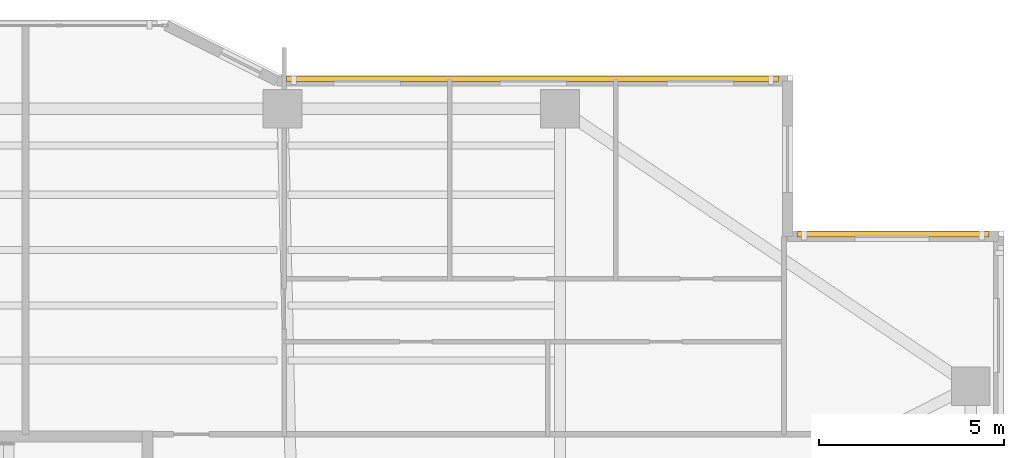
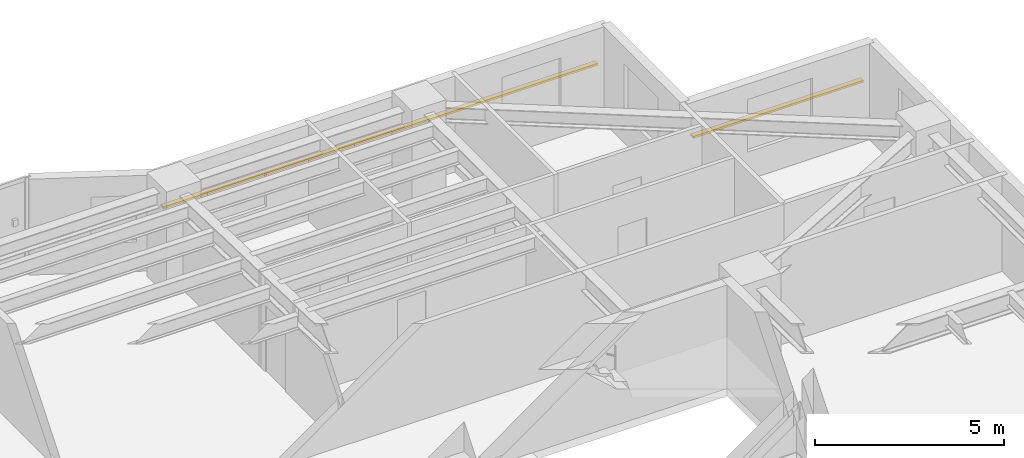
# One storey, part 18 of 18: 2 shading devices.
"""IFC4 building model written with IfcOpenShell, lengths in metres."""

from ifc_helpers import new_model, si_unit, direction, frame, origin, origin_2d, place, context, subcontext, project, spatial, rectangle, extrude, material, material_profile, profile_set, type_object, element, save


model = new_model("IFC4")

# Units and contexts
model_context = context("Model", 3, precision=1e-05, world=origin(), true_north=direction((0.0, 1.0)))
body_context = subcontext(model_context, "Body", "Model", "MODEL_VIEW")
ifc_project = project(units=[si_unit("LENGTHUNIT", "METRE"), si_unit("AREAUNIT", "SQUARE_METRE"), si_unit("VOLUMEUNIT", "CUBIC_METRE"), si_unit("PLANEANGLEUNIT", "RADIAN"), si_unit("MASSUNIT", "GRAM", prefix="KILO")], contexts=[model_context])

# Site, building, storey
site_placement = place(None, origin())
site = spatial("IfcSite", under=ifc_project, at=site_placement, CompositionType="ELEMENT")
building_placement = place(site_placement, origin())
building = spatial("IfcBuilding", under=site, at=building_placement, Name="Tarnavaz Court Tower", CompositionType="ELEMENT")
storey_placement = place(building_placement, frame((0.0, 0.0, 85.0)))
storey = spatial("IfcBuildingStorey", under=building, at=storey_placement, Name="L22", CompositionType="ELEMENT", Elevation=85.0)

# Shading devices
ifc_material = material(Name="Kiln-Fired Khorasan Terracotta Ceramic", Category="masonry")
ifc_material_profile = material_profile(ifc_material, rectangle(XDim=0.14990234375, YDim=0.06494140625, at=origin_2d()), Name="TC BAGUETTE 150X65")
ifc_profile_set = profile_set([ifc_material_profile], Name="Kiln-Fired Khorasan Terracotta Ceramic")
shading_device_type = type_object("IfcShadingDeviceType", Name="SD-BAG-150", PredefinedType="USERDEFINED", material=ifc_profile_set)
shading_device_1_placement = place(storey_placement, frame((7.60009765625, 22.110107421875, 1.85009765625), z_axis=(1.0, 0.0, 0.0), x_axis=(0.0, 1.0, 0.0)))
element("IfcShadingDevice", 1, at=shading_device_1_placement, inside=storey, type_object=shading_device_type, Name="L22 Terracotta Baguette Screen FBG09", ObjectType="BAGUETTE", PredefinedType="USERDEFINED", context=body_context, shape_type="SweptSolid", body=[
    extrude(rectangle(XDim=0.14990234375, YDim=0.06494140625, at=origin_2d()), origin(), (0.0, 0.0, 1.0), 13.2998046875),
])
shading_device_2_placement = place(storey_placement, frame((21.39990234375, 17.909912109375, 1.85009765625), z_axis=(1.0, 0.0, 0.0), x_axis=(0.0, 1.0, 0.0)))
element("IfcShadingDevice", 2, at=shading_device_2_placement, inside=storey, type_object=shading_device_type, Name="L22 Terracotta Baguette Screen FBG11", ObjectType="BAGUETTE", PredefinedType="USERDEFINED", context=body_context, shape_type="SweptSolid", body=[
    extrude(rectangle(XDim=0.14990234375, YDim=0.06494140625, at=origin_2d()), origin(), (0.0, 0.0, 1.0), 5.2001953125),
])

save(model, "model.ifc")
